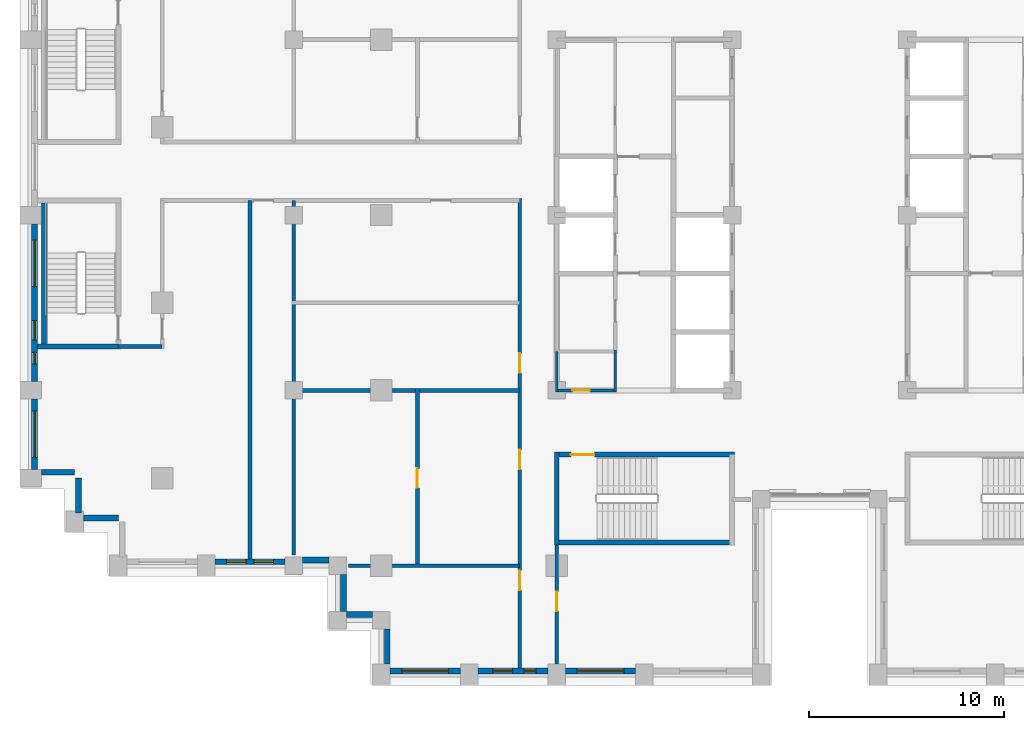
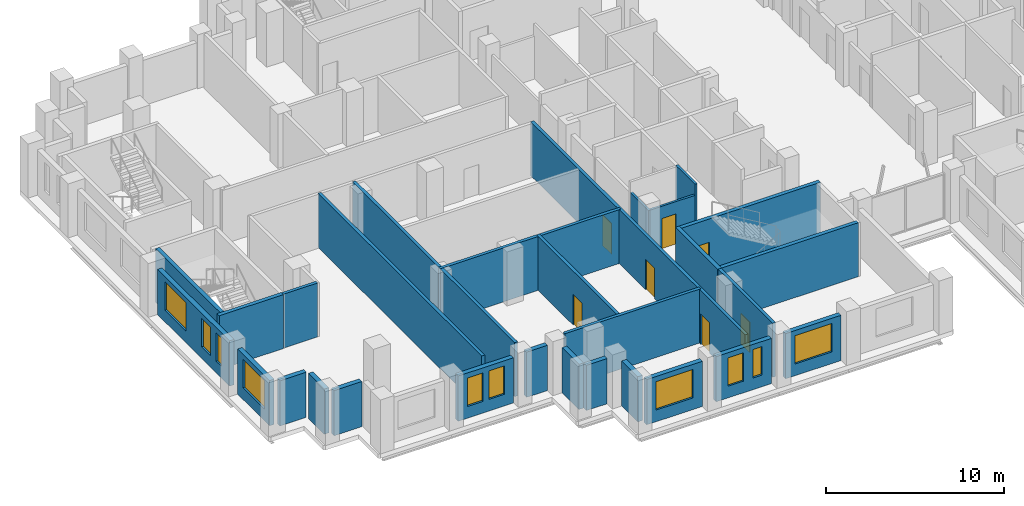
# One storey, part 6 of 16: 29 walls, 10 windows, 7 doors, 17 openings.
"""IFC4 building model written with IfcOpenShell, lengths in metres."""

from ifc_helpers import new_model, si_unit, direction, frame, frame_2d, origin, place, context, subcontext, project, spatial, rectangle, extrude, material, layer, layer_set, type_object, element, fill, save


model = new_model("IFC4")

# Units and contexts
model_context = context("Model", 3, precision=1e-05, world=origin(), true_north=direction((0.0, 1.0)))
body_context = subcontext(model_context, "Body", "Model", "MODEL_VIEW")
ifc_project = project(units=[si_unit("LENGTHUNIT", "METRE"), si_unit("AREAUNIT", "SQUARE_METRE"), si_unit("VOLUMEUNIT", "CUBIC_METRE"), si_unit("PLANEANGLEUNIT", "RADIAN"), si_unit("MASSUNIT", "GRAM", prefix="KILO")], contexts=[model_context])

# Site, building, storey
site_placement = place(None, origin())
site = spatial("IfcSite", under=ifc_project, at=site_placement, CompositionType="ELEMENT")
building_placement = place(site_placement, origin())
building = spatial("IfcBuilding", under=site, at=building_placement, Name="Corbelhall Arena Tower", CompositionType="ELEMENT")
storey_placement = place(building_placement, frame((0.0, 0.0, 170.0)))
storey = spatial("IfcBuildingStorey", under=building, at=storey_placement, Name="L34", CompositionType="ELEMENT", Elevation=170.0)

# Walls
ifc_material_1 = material(Name="Precast concrete C40/50 with granite facing", Category="masonry")
ifc_layer_1 = layer(ifc_material_1, 0.300048828125)
ifc_layer_set_1 = layer_set([ifc_layer_1], Name="EV-IW1 Infill panel 300")
wall_type_1 = type_object("IfcWallType", Name="EV-IW1 Infill panel 300", PredefinedType="SOLIDWALL", material=ifc_layer_set_1)
wall_1_placement = place(storey_placement, frame((-39.949951171875, -13.199951171875, 0.0), z_axis=(0.0, 0.0, 1.0), x_axis=(1.0, 0.0, 0.0)))
element("IfcWall", 1, at=wall_1_placement, inside=storey, type_object=wall_type_1, Name="Infill panel IW1", PredefinedType="SOLIDWALL", context=body_context, shape_type="SweptSolid", body=[
    extrude(rectangle(XDim=1.699951171875, YDim=0.300048828125, at=frame_2d((0.85009765625, 0.0))), origin(), (0.0, 0.0, 1.0), 3.10009765625),
])
for number, where, z_axis, x_axis, name in (
    (2, (-38.050048828125, -15.300048828125, 0.0), (0.0, 0.0, 1.0), (0.0, 1.0, 0.0), "Infill panel IW1"),
    (3, (-37.800048828125, -15.550048828125, 0.0), (0.0, 0.0, 1.0), (1.0, 0.0, 0.0), "Infill panel IW1"),
):
    element("IfcWall", number, at=place(storey_placement, frame(where, z_axis=z_axis, x_axis=x_axis)), inside=storey, type_object=wall_type_1, Name=name, PredefinedType="SOLIDWALL", context=body_context, shape_type="SweptSolid", body=[
        extrude(rectangle(XDim=1.800048828125, YDim=0.300048828125, at=frame_2d((0.89990234375, 0.0))), origin(), (0.0, 0.0, 1.0), 3.10009765625),
    ])

# Wall, openings, windows
wall_2_placement = place(storey_placement, frame((-40.300048828125, -0.449951171875, 0.0), z_axis=(0.0, 0.0, 1.0), x_axis=(0.0, -1.0, 0.0)))
wall_2 = element("IfcWall", 4, at=wall_2_placement, inside=storey, type_object=wall_type_1, Name="Infill panel IW1", PredefinedType="SOLIDWALL", context=body_context, shape_type="SweptSolid", body=[
    extrude(rectangle(XDim=8.10009765625, YDim=0.300048828125, at=frame_2d((4.050048828125, 0.0))), origin(), (0.0, 0.0, 1.0), 3.10009765625),
])
opening_1_placement = place(wall_2_placement, frame((0.824951171875, 0.0, 0.800048828125)))
opening_1 = element("IfcOpeningElement", 5, at=opening_1_placement, cuts=wall_2, Name="Opening WN1", PredefinedType="OPENING", context=body_context, shape_type="SweptSolid", body=[
    extrude(rectangle(XDim=2.39990234375, YDim=1.949951171875, at=frame_2d((1.199951171875, 0.97509765625))), frame((0.0, 0.14990234375, 0.0), z_axis=(0.0, -1.0, 0.0), x_axis=(1.0, 0.0, 0.0)), (0.0, 0.0, 1.0), 0.300048828125),
])
opening_2_placement = place(wall_2_placement, frame((4.97509765625, 0.0, 0.800048828125)))
opening_2 = element("IfcOpeningElement", 6, at=opening_2_placement, cuts=wall_2, Name="Opening WN6", PredefinedType="OPENING", context=body_context, shape_type="SweptSolid", body=[
    extrude(rectangle(XDim=1.0, YDim=1.949951171875, at=frame_2d((0.5, 0.97509765625))), frame((0.0, 0.14990234375, 0.0), z_axis=(0.0, -1.0, 0.0), x_axis=(1.0, 0.0, 0.0)), (0.0, 0.0, 1.0), 0.300048828125),
])
opening_3_placement = place(wall_2_placement, frame((6.60009765625, 0.0, 0.800048828125)))
opening_3 = element("IfcOpeningElement", 7, at=opening_3_placement, cuts=wall_2, Name="Opening WN5", PredefinedType="OPENING", context=body_context, shape_type="SweptSolid", body=[
    extrude(rectangle(XDim=0.60009765625, YDim=1.949951171875, at=frame_2d((0.300048828125, 0.97509765625))), frame((0.0, 0.14990234375, 0.0), z_axis=(0.0, -1.0, 0.0), x_axis=(1.0, 0.0, 0.0)), (0.0, 0.0, 1.0), 0.300048828125),
])
ifc_material_2 = material(Name="Aluminium black anodised", Category="aluminium")
window_type_1 = type_object("IfcWindowType", Name="EV-WN1 Office window", PartitioningType="SINGLE_PANEL", PredefinedType="WINDOW", material=ifc_material_2)
window_1_placement = place(opening_1_placement, origin())
window_1 = element("IfcWindow", 8, at=window_1_placement, inside=storey, type_object=window_type_1, Name="Window WN1", OverallHeight=1.949951171875, OverallWidth=2.39990234375, PartitioningType="SINGLE_PANEL", PredefinedType="WINDOW", context=body_context, shape_type="SweptSolid", body=[
    extrude(rectangle(XDim=2.39990234375, YDim=1.949951171875, at=frame_2d((1.199951171875, 0.97509765625))), frame((0.0, 0.030029296875, 0.0), z_axis=(0.0, -1.0, 0.0), x_axis=(1.0, 0.0, 0.0)), (0.0, 0.0, 1.0), 0.06005859375),
])
fill(opening_1, window_1)
window_type_2 = type_object("IfcWindowType", Name="EV-WN5 Office window 600", PartitioningType="SINGLE_PANEL", PredefinedType="WINDOW", material=ifc_material_2)
window_2_placement = place(opening_3_placement, origin())
window_2 = element("IfcWindow", 9, at=window_2_placement, inside=storey, type_object=window_type_2, Name="Window WN5", OverallHeight=1.949951171875, OverallWidth=0.60009765625, PartitioningType="SINGLE_PANEL", PredefinedType="WINDOW", context=body_context, shape_type="SweptSolid", body=[
    extrude(rectangle(XDim=0.60009765625, YDim=1.949951171875, at=frame_2d((0.300048828125, 0.97509765625))), frame((0.0, 0.030029296875, 0.0), z_axis=(0.0, -1.0, 0.0), x_axis=(1.0, 0.0, 0.0)), (0.0, 0.0, 1.0), 0.06005859375),
])
fill(opening_3, window_2)
window_type_3 = type_object("IfcWindowType", Name="EV-WN6 Office window 1000", PartitioningType="SINGLE_PANEL", PredefinedType="WINDOW", material=ifc_material_2)
window_3_placement = place(opening_2_placement, origin())
window_3 = element("IfcWindow", 10, at=window_3_placement, inside=storey, type_object=window_type_3, Name="Window WN6", OverallHeight=1.949951171875, OverallWidth=1.0, PartitioningType="SINGLE_PANEL", PredefinedType="WINDOW", context=body_context, shape_type="SweptSolid", body=[
    extrude(rectangle(XDim=1.0, YDim=1.949951171875, at=frame_2d((0.5, 0.97509765625))), frame((0.0, 0.030029296875, 0.0), z_axis=(0.0, -1.0, 0.0), x_axis=(1.0, 0.0, 0.0)), (0.0, 0.0, 1.0), 0.06005859375),
])
fill(opening_2, window_3)

# Wall, opening, window
wall_3_placement = place(storey_placement, frame((-40.300048828125, -9.449951171875, 0.0), z_axis=(0.0, 0.0, 1.0), x_axis=(0.0, -1.0, 0.0)))
wall_3 = element("IfcWall", 11, at=wall_3_placement, inside=storey, type_object=wall_type_1, Name="Infill panel IW1", PredefinedType="SOLIDWALL", context=body_context, shape_type="SweptSolid", body=[
    extrude(rectangle(XDim=3.60009765625, YDim=0.300048828125, at=frame_2d((1.800048828125, 0.0))), origin(), (0.0, 0.0, 1.0), 3.10009765625),
])
opening_4_placement = place(wall_3_placement, frame((0.60009765625, 0.0, 0.800048828125)))
opening_4 = element("IfcOpeningElement", 12, at=opening_4_placement, cuts=wall_3, Name="Opening WN1", PredefinedType="OPENING", context=body_context, shape_type="SweptSolid", body=[
    extrude(rectangle(XDim=2.39990234375, YDim=1.949951171875, at=frame_2d((1.199951171875, 0.97509765625))), frame((0.0, 0.14990234375, 0.0), z_axis=(0.0, -1.0, 0.0), x_axis=(1.0, 0.0, 0.0)), (0.0, 0.0, 1.0), 0.300048828125),
])
window_4_placement = place(opening_4_placement, origin())
window_4 = element("IfcWindow", 13, at=window_4_placement, inside=storey, type_object=window_type_1, Name="Window WN1", OverallHeight=1.949951171875, OverallWidth=2.39990234375, PartitioningType="SINGLE_PANEL", PredefinedType="WINDOW", context=body_context, shape_type="SweptSolid", body=[
    extrude(rectangle(XDim=2.39990234375, YDim=1.949951171875, at=frame_2d((1.199951171875, 0.97509765625))), frame((0.0, 0.030029296875, 0.0), z_axis=(0.0, -1.0, 0.0), x_axis=(1.0, 0.0, 0.0)), (0.0, 0.0, 1.0), 0.06005859375),
])
fill(opening_4, window_4)

# Wall, openings, windows
wall_4_placement = place(storey_placement, frame((-31.050048828125, -17.800048828125, 0.0), z_axis=(0.0, 0.0, 1.0), x_axis=(1.0, 0.0, 0.0)))
wall_4 = element("IfcWall", 14, at=wall_4_placement, inside=storey, type_object=wall_type_1, Name="Infill panel IW1", PredefinedType="SOLIDWALL", context=body_context, shape_type="SweptSolid", body=[
    extrude(rectangle(XDim=3.60009765625, YDim=0.300048828125, at=frame_2d((1.800048828125, 0.0))), origin(), (0.0, 0.0, 1.0), 3.10009765625),
])
opening_5_placement = place(wall_4_placement, frame((0.60009765625, 0.0, 0.800048828125)))
opening_5 = element("IfcOpeningElement", 15, at=opening_5_placement, cuts=wall_4, Name="Opening WN6", PredefinedType="OPENING", context=body_context, shape_type="SweptSolid", body=[
    extrude(rectangle(XDim=1.0, YDim=1.949951171875, at=frame_2d((0.5, 0.97509765625))), frame((0.0, 0.14990234375, 0.0), z_axis=(0.0, -1.0, 0.0), x_axis=(1.0, 0.0, 0.0)), (0.0, 0.0, 1.0), 0.300048828125),
])
opening_6_placement = place(wall_4_placement, frame((2.0, 0.0, 0.800048828125)))
opening_6 = element("IfcOpeningElement", 16, at=opening_6_placement, cuts=wall_4, Name="Opening WN6", PredefinedType="OPENING", context=body_context, shape_type="SweptSolid", body=[
    extrude(rectangle(XDim=1.0, YDim=1.949951171875, at=frame_2d((0.5, 0.97509765625))), frame((0.0, 0.14990234375, 0.0), z_axis=(0.0, -1.0, 0.0), x_axis=(1.0, 0.0, 0.0)), (0.0, 0.0, 1.0), 0.300048828125),
])
window_5_placement = place(opening_5_placement, origin())
window_5 = element("IfcWindow", 17, at=window_5_placement, inside=storey, type_object=window_type_3, Name="Window WN6", OverallHeight=1.949951171875, OverallWidth=1.0, PartitioningType="SINGLE_PANEL", PredefinedType="WINDOW", context=body_context, shape_type="SweptSolid", body=[
    extrude(rectangle(XDim=1.0, YDim=1.949951171875, at=frame_2d((0.5, 0.97509765625))), frame((0.0, 0.030029296875, 0.0), z_axis=(0.0, -1.0, 0.0), x_axis=(1.0, 0.0, 0.0)), (0.0, 0.0, 1.0), 0.06005859375),
])
fill(opening_5, window_5)
window_6_placement = place(opening_6_placement, origin())
window_6 = element("IfcWindow", 18, at=window_6_placement, inside=storey, type_object=window_type_3, Name="Window WN6", OverallHeight=1.949951171875, OverallWidth=1.0, PartitioningType="SINGLE_PANEL", PredefinedType="WINDOW", context=body_context, shape_type="SweptSolid", body=[
    extrude(rectangle(XDim=1.0, YDim=1.949951171875, at=frame_2d((0.5, 0.97509765625))), frame((0.0, 0.030029296875, 0.0), z_axis=(0.0, -1.0, 0.0), x_axis=(1.0, 0.0, 0.0)), (0.0, 0.0, 1.0), 0.06005859375),
])
fill(opening_6, window_6)

# Walls
wall_5_placement = place(storey_placement, frame((-26.550048828125, -17.699951171875, 0.0), z_axis=(0.0, 0.0, 1.0), x_axis=(1.0, 0.0, 0.0)))
element("IfcWall", 19, at=wall_5_placement, inside=storey, type_object=wall_type_1, Name="Infill panel IW1", PredefinedType="SOLIDWALL", context=body_context, shape_type="SweptSolid", body=[
    extrude(rectangle(XDim=1.35009765625, YDim=0.300048828125, at=frame_2d((0.675048828125, 0.0))), origin(), (0.0, 0.0, 1.0), 3.10009765625),
])
wall_6_placement = place(storey_placement, frame((-24.449951171875, -18.449951171875, 0.0), z_axis=(0.0, 0.0, 1.0), x_axis=(0.0, -1.0, 0.0)))
element("IfcWall", 20, at=wall_6_placement, inside=storey, type_object=wall_type_1, Name="Infill panel IW1", PredefinedType="SOLIDWALL", context=body_context, shape_type="SweptSolid", body=[
    extrude(rectangle(XDim=1.900146484375, YDim=0.300048828125, at=frame_2d((0.9501953125, 0.0))), origin(), (0.0, 0.0, 1.0), 3.10009765625),
])
wall_7_placement = place(storey_placement, frame((-24.300048828125, -20.5, 0.0), z_axis=(0.0, 0.0, 1.0), x_axis=(1.0, 0.0, 0.0)))
element("IfcWall", 21, at=wall_7_placement, inside=storey, type_object=wall_type_1, Name="Infill panel IW1", PredefinedType="SOLIDWALL", context=body_context, shape_type="SweptSolid", body=[
    extrude(rectangle(XDim=1.35009765625, YDim=0.300048828125, at=frame_2d((0.675048828125, 0.0))), origin(), (0.0, 0.0, 1.0), 3.10009765625),
])
wall_8_placement = place(storey_placement, frame((-22.199951171875, -21.25, 0.0), z_axis=(0.0, 0.0, 1.0), x_axis=(0.0, -1.0, 0.0)))
element("IfcWall", 22, at=wall_8_placement, inside=storey, type_object=wall_type_1, Name="Infill panel IW1", PredefinedType="SOLIDWALL", context=body_context, shape_type="SweptSolid", body=[
    extrude(rectangle(XDim=1.800048828125, YDim=0.300048828125, at=frame_2d((0.89990234375, 0.0))), origin(), (0.0, 0.0, 1.0), 3.10009765625),
])

# Wall, opening, window
wall_9_placement = place(storey_placement, frame((-22.050048828125, -23.39990234375, 0.0), z_axis=(0.0, 0.0, 1.0), x_axis=(1.0, 0.0, 0.0)))
wall_9 = element("IfcWall", 23, at=wall_9_placement, inside=storey, type_object=wall_type_1, Name="Infill panel IW1", PredefinedType="SOLIDWALL", context=body_context, shape_type="SweptSolid", body=[
    extrude(rectangle(XDim=3.60009765625, YDim=0.300048828125, at=frame_2d((1.800048828125, 0.0))), origin(), (0.0, 0.0, 1.0), 3.10009765625),
])
opening_7_placement = place(wall_9_placement, frame((0.60009765625, 0.0, 0.800048828125)))
opening_7 = element("IfcOpeningElement", 24, at=opening_7_placement, cuts=wall_9, Name="Opening WN1", PredefinedType="OPENING", context=body_context, shape_type="SweptSolid", body=[
    extrude(rectangle(XDim=2.39990234375, YDim=1.949951171875, at=frame_2d((1.199951171875, 0.97509765625))), frame((0.0, 0.14990234375, 0.0), z_axis=(0.0, -1.0, 0.0), x_axis=(1.0, 0.0, 0.0)), (0.0, 0.0, 1.0), 0.300048828125),
])
window_7_placement = place(opening_7_placement, origin())
window_7 = element("IfcWindow", 25, at=window_7_placement, inside=storey, type_object=window_type_1, Name="Window WN1", OverallHeight=1.949951171875, OverallWidth=2.39990234375, PartitioningType="SINGLE_PANEL", PredefinedType="WINDOW", context=body_context, shape_type="SweptSolid", body=[
    extrude(rectangle(XDim=2.39990234375, YDim=1.949951171875, at=frame_2d((1.199951171875, 0.97509765625))), frame((0.0, 0.030029296875, 0.0), z_axis=(0.0, -1.0, 0.0), x_axis=(1.0, 0.0, 0.0)), (0.0, 0.0, 1.0), 0.06005859375),
])
fill(opening_7, window_7)

# Wall, openings, windows
wall_10_placement = place(storey_placement, frame((-17.550048828125, -23.39990234375, 0.0), z_axis=(0.0, 0.0, 1.0), x_axis=(1.0, 0.0, 0.0)))
wall_10 = element("IfcWall", 26, at=wall_10_placement, inside=storey, type_object=wall_type_1, Name="Infill panel IW1", PredefinedType="SOLIDWALL", context=body_context, shape_type="SweptSolid", body=[
    extrude(rectangle(XDim=3.60009765625, YDim=0.300048828125, at=frame_2d((1.800048828125, 0.0))), origin(), (0.0, 0.0, 1.0), 3.10009765625),
])
opening_8_placement = place(wall_10_placement, frame((0.77490234375, 0.0, 0.800048828125)))
opening_8 = element("IfcOpeningElement", 27, at=opening_8_placement, cuts=wall_10, Name="Opening WN6", PredefinedType="OPENING", context=body_context, shape_type="SweptSolid", body=[
    extrude(rectangle(XDim=1.0, YDim=1.949951171875, at=frame_2d((0.5, 0.97509765625))), frame((0.0, 0.14990234375, 0.0), z_axis=(0.0, -1.0, 0.0), x_axis=(1.0, 0.0, 0.0)), (0.0, 0.0, 1.0), 0.300048828125),
])
opening_9_placement = place(wall_10_placement, frame((2.375, 0.0, 0.800048828125)))
opening_9 = element("IfcOpeningElement", 28, at=opening_9_placement, cuts=wall_10, Name="Opening WN5", PredefinedType="OPENING", context=body_context, shape_type="SweptSolid", body=[
    extrude(rectangle(XDim=0.60009765625, YDim=1.949951171875, at=frame_2d((0.300048828125, 0.97509765625))), frame((0.0, 0.14990234375, 0.0), z_axis=(0.0, -1.0, 0.0), x_axis=(1.0, 0.0, 0.0)), (0.0, 0.0, 1.0), 0.300048828125),
])
window_8_placement = place(opening_9_placement, origin())
window_8 = element("IfcWindow", 29, at=window_8_placement, inside=storey, type_object=window_type_2, Name="Window WN5", OverallHeight=1.949951171875, OverallWidth=0.60009765625, PartitioningType="SINGLE_PANEL", PredefinedType="WINDOW", context=body_context, shape_type="SweptSolid", body=[
    extrude(rectangle(XDim=0.60009765625, YDim=1.949951171875, at=frame_2d((0.300048828125, 0.97509765625))), frame((0.0, 0.030029296875, 0.0), z_axis=(0.0, -1.0, 0.0), x_axis=(1.0, 0.0, 0.0)), (0.0, 0.0, 1.0), 0.06005859375),
])
fill(opening_9, window_8)
window_9_placement = place(opening_8_placement, origin())
window_9 = element("IfcWindow", 30, at=window_9_placement, inside=storey, type_object=window_type_3, Name="Window WN6", OverallHeight=1.949951171875, OverallWidth=1.0, PartitioningType="SINGLE_PANEL", PredefinedType="WINDOW", context=body_context, shape_type="SweptSolid", body=[
    extrude(rectangle(XDim=1.0, YDim=1.949951171875, at=frame_2d((0.5, 0.97509765625))), frame((0.0, 0.030029296875, 0.0), z_axis=(0.0, -1.0, 0.0), x_axis=(1.0, 0.0, 0.0)), (0.0, 0.0, 1.0), 0.06005859375),
])
fill(opening_8, window_9)

# Wall, opening, window
wall_11_placement = place(storey_placement, frame((-13.050048828125, -23.39990234375, 0.0), z_axis=(0.0, 0.0, 1.0), x_axis=(1.0, 0.0, 0.0)))
wall_11 = element("IfcWall", 31, at=wall_11_placement, inside=storey, type_object=wall_type_1, Name="Infill panel IW1", PredefinedType="SOLIDWALL", context=body_context, shape_type="SweptSolid", body=[
    extrude(rectangle(XDim=3.60009765625, YDim=0.300048828125, at=frame_2d((1.800048828125, 0.0))), origin(), (0.0, 0.0, 1.0), 3.10009765625),
])
opening_10_placement = place(wall_11_placement, frame((0.60009765625, 0.0, 0.800048828125)))
opening_10 = element("IfcOpeningElement", 32, at=opening_10_placement, cuts=wall_11, Name="Opening WN1", PredefinedType="OPENING", context=body_context, shape_type="SweptSolid", body=[
    extrude(rectangle(XDim=2.39990234375, YDim=1.949951171875, at=frame_2d((1.199951171875, 0.97509765625))), frame((0.0, 0.14990234375, 0.0), z_axis=(0.0, -1.0, 0.0), x_axis=(1.0, 0.0, 0.0)), (0.0, 0.0, 1.0), 0.300048828125),
])
window_10_placement = place(opening_10_placement, origin())
window_10 = element("IfcWindow", 33, at=window_10_placement, inside=storey, type_object=window_type_1, Name="Window WN1", OverallHeight=1.949951171875, OverallWidth=2.39990234375, PartitioningType="SINGLE_PANEL", PredefinedType="WINDOW", context=body_context, shape_type="SweptSolid", body=[
    extrude(rectangle(XDim=2.39990234375, YDim=1.949951171875, at=frame_2d((1.199951171875, 0.97509765625))), frame((0.0, 0.030029296875, 0.0), z_axis=(0.0, -1.0, 0.0), x_axis=(1.0, 0.0, 0.0)), (0.0, 0.0, 1.0), 0.06005859375),
])
fill(opening_10, window_10)

# Walls
ifc_material_3 = material(Name="Gypsum board on steel stud, acoustic", Category="steel")
ifc_layer_2 = layer(ifc_material_3, 0.199951171875)
ifc_layer_set_2 = layer_set([ifc_layer_2], Name="IN-W-DM200")
wall_type_2 = type_object("IfcWallType", Name="IN-W-DM200", PredefinedType="PARTITIONING", material=ifc_layer_set_2)
wall_12_placement = place(storey_placement, frame((-33.75, -6.75, 0.0), z_axis=(0.0, 0.0, 1.0), x_axis=(-1.0, 0.0, 0.0)))
element("IfcWall", 34, at=wall_12_placement, inside=storey, type_object=wall_type_2, Name="Partition 003", PredefinedType="PARTITIONING", context=body_context, shape_type="SweptSolid", body=[
    extrude(rectangle(XDim=2.25, YDim=0.199951171875, at=frame_2d((1.125, 0.0))), origin(), (0.0, 0.0, 1.0), 3.699951171875),
])
wall_13_placement = place(storey_placement, frame((-29.25, 0.75, 0.0), z_axis=(0.0, 0.0, 1.0), x_axis=(0.0, -1.0, 0.0)))
element("IfcWall", 35, at=wall_13_placement, inside=storey, type_object=wall_type_2, Name="Partition 006", PredefinedType="PARTITIONING", context=body_context, shape_type="SweptSolid", body=[
    extrude(rectangle(XDim=18.39990234375, YDim=0.199951171875, at=frame_2d((9.199951171875, 0.0))), origin(), (0.0, 0.0, 1.0), 3.699951171875),
])
wall_14_placement = place(storey_placement, frame((-27.10009765625, -9.0, 0.0), z_axis=(0.0, 0.0, 1.0), x_axis=(1.0, 0.0, 0.0)))
element("IfcWall", 36, at=wall_14_placement, inside=storey, type_object=wall_type_2, Name="Partition 008", PredefinedType="PARTITIONING", context=body_context, shape_type="SweptSolid", body=[
    extrude(rectangle(XDim=11.7001953125, YDim=0.199951171875, at=frame_2d((5.85009765625, 0.0))), origin(), (0.0, 0.0, 1.0), 3.699951171875),
])
wall_15_placement = place(storey_placement, frame((-27.0, -17.449951171875, 0.0), z_axis=(0.0, 0.0, 1.0), x_axis=(0.0, 1.0, 0.0)))
element("IfcWall", 37, at=wall_15_placement, inside=storey, type_object=wall_type_2, Name="Partition 011", PredefinedType="PARTITIONING", context=body_context, shape_type="SweptSolid", body=[
    extrude(rectangle(XDim=18.199951171875, YDim=0.199951171875, at=frame_2d((9.10009765625, 0.0))), origin(), (0.0, 0.0, 1.0), 3.699951171875),
])
wall_16_placement = place(storey_placement, frame((-24.199951171875, -18.0, 0.0), z_axis=(0.0, 0.0, 1.0), x_axis=(1.0, 0.0, 0.0)))
element("IfcWall", 38, at=wall_16_placement, inside=storey, type_object=wall_type_2, Name="Partition 013", PredefinedType="PARTITIONING", context=body_context, shape_type="SweptSolid", body=[
    extrude(rectangle(XDim=8.800048828125, YDim=0.199951171875, at=frame_2d((4.39990234375, 0.0))), origin(), (0.0, 0.0, 1.0), 3.699951171875),
])

# Wall, opening, door
wall_17_placement = place(storey_placement, frame((-20.64990234375, -18.0, 0.0), z_axis=(0.0, 0.0, 1.0), x_axis=(0.0, 1.0, 0.0)))
wall_17 = element("IfcWall", 39, at=wall_17_placement, inside=storey, type_object=wall_type_2, Name="Partition 016", PredefinedType="PARTITIONING", context=body_context, shape_type="SweptSolid", body=[
    extrude(rectangle(XDim=9.10009765625, YDim=0.199951171875, at=frame_2d((4.550048828125, 0.0))), origin(), (0.0, 0.0, 1.0), 3.699951171875),
])
opening_11_placement = place(wall_17_placement, frame((4.0, 0.0, 0.0)))
opening_11 = element("IfcOpeningElement", 40, at=opening_11_placement, cuts=wall_17, Name="Opening 10031", PredefinedType="OPENING", context=body_context, shape_type="SweptSolid", body=[
    extrude(rectangle(XDim=1.0, YDim=2.10009765625, at=frame_2d((0.5, 1.050048828125))), frame((0.0, 0.10009765625, 0.0), z_axis=(0.0, -1.0, 0.0), x_axis=(1.0, 0.0, 0.0)), (0.0, 0.0, 1.0), 0.199951171875),
])
ifc_material_4 = material(Name="Steel door set", Category="steel")
door_type_1 = type_object("IfcDoorType", Name="IN-D-SW100", OperationType="NOTDEFINED", PredefinedType="DOOR", material=ifc_material_4)
door_1_placement = place(opening_11_placement, origin())
door_1 = element("IfcDoor", 41, at=door_1_placement, inside=storey, type_object=door_type_1, Name="Door 031", OperationType="SINGLE_SWING_RIGHT", OverallHeight=2.10009765625, OverallWidth=1.0, PredefinedType="DOOR", context=body_context, shape_type="SweptSolid", body=[
    extrude(rectangle(XDim=1.0, YDim=2.10009765625, at=frame_2d((0.5, 1.050048828125))), frame((0.0, 0.02490234375, 0.0), z_axis=(0.0, -1.0, 0.0), x_axis=(1.0, 0.0, 0.0)), (0.0, 0.0, 1.0), 0.050048828125),
])
fill(opening_11, door_1)

# Wall, openings, doors
wall_18_placement = place(storey_placement, frame((-15.39990234375, -23.25, 0.0), z_axis=(0.0, 0.0, 1.0), x_axis=(0.0, 1.0, 0.0)))
wall_18 = element("IfcWall", 42, at=wall_18_placement, inside=storey, type_object=wall_type_2, Name="Partition 018", PredefinedType="PARTITIONING", context=body_context, shape_type="SweptSolid", body=[
    extrude(rectangle(XDim=24.10009765625, YDim=0.199951171875, at=frame_2d((12.050048828125, 0.0))), origin(), (0.0, 0.0, 1.0), 3.699951171875),
])
opening_12_placement = place(wall_18_placement, frame((4.0, 0.0, 0.0)))
opening_12 = element("IfcOpeningElement", 43, at=opening_12_placement, cuts=wall_18, Name="Opening 10029", PredefinedType="OPENING", context=body_context, shape_type="SweptSolid", body=[
    extrude(rectangle(XDim=1.0, YDim=2.10009765625, at=frame_2d((0.5, 1.050048828125))), frame((0.0, 0.10009765625, 0.0), z_axis=(0.0, -1.0, 0.0), x_axis=(1.0, 0.0, 0.0)), (0.0, 0.0, 1.0), 0.199951171875),
])
opening_13_placement = place(wall_18_placement, frame((10.199951171875, 0.0, 0.0)))
opening_13 = element("IfcOpeningElement", 44, at=opening_13_placement, cuts=wall_18, Name="Opening 10030", PredefinedType="OPENING", context=body_context, shape_type="SweptSolid", body=[
    extrude(rectangle(XDim=1.0, YDim=2.10009765625, at=frame_2d((0.5, 1.050048828125))), frame((0.0, 0.10009765625, 0.0), z_axis=(0.0, -1.0, 0.0), x_axis=(1.0, 0.0, 0.0)), (0.0, 0.0, 1.0), 0.199951171875),
])
opening_14_placement = place(wall_18_placement, frame((15.14990234375, 0.0, 0.0)))
opening_14 = element("IfcOpeningElement", 45, at=opening_14_placement, cuts=wall_18, Name="Opening 10032", PredefinedType="OPENING", context=body_context, shape_type="SweptSolid", body=[
    extrude(rectangle(XDim=1.0, YDim=2.10009765625, at=frame_2d((0.5, 1.050048828125))), frame((0.0, 0.10009765625, 0.0), z_axis=(0.0, -1.0, 0.0), x_axis=(1.0, 0.0, 0.0)), (0.0, 0.0, 1.0), 0.199951171875),
])
door_2_placement = place(opening_12_placement, origin())
door_2 = element("IfcDoor", 46, at=door_2_placement, inside=storey, type_object=door_type_1, Name="Door 029", OperationType="SINGLE_SWING_RIGHT", OverallHeight=2.10009765625, OverallWidth=1.0, PredefinedType="DOOR", context=body_context, shape_type="SweptSolid", body=[
    extrude(rectangle(XDim=1.0, YDim=2.10009765625, at=frame_2d((0.5, 1.050048828125))), frame((0.0, 0.02490234375, 0.0), z_axis=(0.0, -1.0, 0.0), x_axis=(1.0, 0.0, 0.0)), (0.0, 0.0, 1.0), 0.050048828125),
])
fill(opening_12, door_2)
door_3_placement = place(opening_13_placement, origin())
door_3 = element("IfcDoor", 47, at=door_3_placement, inside=storey, type_object=door_type_1, Name="Door 030", OperationType="SINGLE_SWING_LEFT", OverallHeight=2.10009765625, OverallWidth=1.0, PredefinedType="DOOR", context=body_context, shape_type="SweptSolid", body=[
    extrude(rectangle(XDim=1.0, YDim=2.10009765625, at=frame_2d((0.5, 1.050048828125))), frame((0.0, 0.02490234375, 0.0), z_axis=(0.0, -1.0, 0.0), x_axis=(1.0, 0.0, 0.0)), (0.0, 0.0, 1.0), 0.050048828125),
])
fill(opening_13, door_3)
door_4_placement = place(opening_14_placement, origin())
door_4 = element("IfcDoor", 48, at=door_4_placement, inside=storey, type_object=door_type_1, Name="Door 032", OperationType="SINGLE_SWING_LEFT", OverallHeight=2.10009765625, OverallWidth=1.0, PredefinedType="DOOR", context=body_context, shape_type="SweptSolid", body=[
    extrude(rectangle(XDim=1.0, YDim=2.10009765625, at=frame_2d((0.5, 1.050048828125))), frame((0.0, 0.02490234375, 0.0), z_axis=(0.0, -1.0, 0.0), x_axis=(1.0, 0.0, 0.0)), (0.0, 0.0, 1.0), 0.050048828125),
])
fill(opening_14, door_4)

# Wall, opening, door
wall_19_placement = place(storey_placement, frame((-13.5, -16.675048828125, 0.0), z_axis=(0.0, 0.0, 1.0), x_axis=(0.0, -1.0, 0.0)))
wall_19 = element("IfcWall", 49, at=wall_19_placement, inside=storey, type_object=wall_type_2, Name="Partition 023", PredefinedType="PARTITIONING", context=body_context, shape_type="SweptSolid", body=[
    extrude(rectangle(XDim=6.375, YDim=0.199951171875, at=frame_2d((3.1875, 0.0))), origin(), (0.0, 0.0, 1.0), 3.699951171875),
])
opening_15_placement = place(wall_19_placement, frame((2.64990234375, 0.0, 0.0)))
opening_15 = element("IfcOpeningElement", 50, at=opening_15_placement, cuts=wall_19, Name="Opening 10024", PredefinedType="OPENING", context=body_context, shape_type="SweptSolid", body=[
    extrude(rectangle(XDim=1.0, YDim=2.10009765625, at=frame_2d((0.5, 1.050048828125))), frame((0.0, 0.10009765625, 0.0), z_axis=(0.0, -1.0, 0.0), x_axis=(1.0, 0.0, 0.0)), (0.0, 0.0, 1.0), 0.199951171875),
])
door_5_placement = place(opening_15_placement, origin())
door_5 = element("IfcDoor", 51, at=door_5_placement, inside=storey, type_object=door_type_1, Name="Door 024", OperationType="SINGLE_SWING_LEFT", OverallHeight=2.10009765625, OverallWidth=1.0, PredefinedType="DOOR", context=body_context, shape_type="SweptSolid", body=[
    extrude(rectangle(XDim=1.0, YDim=2.10009765625, at=frame_2d((0.5, 1.050048828125))), frame((0.0, 0.02490234375, 0.0), z_axis=(0.0, -1.0, 0.0), x_axis=(1.0, 0.0, 0.0)), (0.0, 0.0, 1.0), 0.050048828125),
])
fill(opening_15, door_5)

# Walls
ifc_material_5 = material(Name="Concrete C40/50", Category="concrete")
ifc_layer_3 = layer(ifc_material_5, 0.25)
ifc_layer_set_3 = layer_set([ifc_layer_3], Name="IN-W-ST250")
wall_type_3 = type_object("IfcWallType", Name="IN-W-ST250", PredefinedType="SOLIDWALL", material=ifc_layer_set_3)
wall_20_placement = place(storey_placement, frame((-36.0, -6.75, 0.0), z_axis=(0.0, 0.0, 1.0), x_axis=(-1.0, 0.0, 0.0)))
element("IfcWall", 52, at=wall_20_placement, inside=storey, type_object=wall_type_3, Name="Shaft wall 084", PredefinedType="SOLIDWALL", context=body_context, shape_type="SweptSolid", body=[
    extrude(rectangle(XDim=4.14990234375, YDim=0.25, at=frame_2d((2.074951171875, 0.0))), origin(), (0.0, 0.0, 1.0), 3.699951171875),
])
wall_21_placement = place(storey_placement, frame((-13.5, -12.175048828125, 0.0), z_axis=(0.0, 0.0, 1.0), x_axis=(0.0, -1.0, 0.0)))
element("IfcWall", 53, at=wall_21_placement, inside=storey, type_object=wall_type_3, Name="Shaft wall 088", PredefinedType="SOLIDWALL", context=body_context, shape_type="SweptSolid", body=[
    extrude(rectangle(XDim=4.75, YDim=0.25, at=frame_2d((2.375, 0.0))), origin(), (0.0, 0.0, 1.0), 3.699951171875),
])
wall_22_placement = place(storey_placement, frame((-4.5, -16.800048828125, 0.0), z_axis=(0.0, 0.0, 1.0), x_axis=(-1.0, 0.0, 0.0)))
element("IfcWall", 54, at=wall_22_placement, inside=storey, type_object=wall_type_3, Name="Shaft wall 092", PredefinedType="SOLIDWALL", context=body_context, shape_type="SweptSolid", body=[
    extrude(rectangle(XDim=9.0, YDim=0.25, at=frame_2d((4.5, 0.0))), origin(), (0.0, 0.0, 1.0), 3.699951171875),
])

# Wall, opening, door
wall_23_placement = place(storey_placement, frame((-4.375, -12.300048828125, 0.0), z_axis=(0.0, 0.0, 1.0), x_axis=(-1.0, 0.0, 0.0)))
wall_23 = element("IfcWall", 55, at=wall_23_placement, inside=storey, type_object=wall_type_3, Name="Shaft wall 095", PredefinedType="SOLIDWALL", context=body_context, shape_type="SweptSolid", body=[
    extrude(rectangle(XDim=9.125, YDim=0.25, at=frame_2d((4.5625, 0.0))), origin(), (0.0, 0.0, 1.0), 3.699951171875),
])
opening_16_placement = place(wall_23_placement, frame((7.199951171875, 0.0, 0.0)))
opening_16 = element("IfcOpeningElement", 56, at=opening_16_placement, cuts=wall_23, Name="Opening 10015", PredefinedType="OPENING", context=body_context, shape_type="SweptSolid", body=[
    extrude(rectangle(XDim=1.199951171875, YDim=2.10009765625, at=frame_2d((0.60009765625, 1.050048828125))), frame((0.0, 0.125, 0.0), z_axis=(0.0, -1.0, 0.0), x_axis=(1.0, 0.0, 0.0)), (0.0, 0.0, 1.0), 0.25),
])
door_type_2 = type_object("IfcDoorType", Name="IN-D-ST120", OperationType="NOTDEFINED", PredefinedType="DOOR", material=ifc_material_4)
door_6_placement = place(opening_16_placement, origin())
door_6 = element("IfcDoor", 57, at=door_6_placement, inside=storey, type_object=door_type_2, Name="Door 015", OperationType="SINGLE_SWING_RIGHT", OverallHeight=2.10009765625, OverallWidth=1.199951171875, PredefinedType="DOOR", context=body_context, shape_type="SweptSolid", body=[
    extrude(rectangle(XDim=1.199951171875, YDim=2.10009765625, at=frame_2d((0.60009765625, 1.050048828125))), frame((0.0, 0.02490234375, 0.0), z_axis=(0.0, -1.0, 0.0), x_axis=(1.0, 0.0, 0.0)), (0.0, 0.0, 1.0), 0.050048828125),
])
fill(opening_16, door_6)

# Walls
wall_24_placement = place(storey_placement, frame((-39.824951171875, -6.625, 0.0), z_axis=(0.0, 0.0, 1.0), x_axis=(0.0, 1.0, 0.0)))
element("IfcWall", 58, at=wall_24_placement, inside=storey, type_object=wall_type_3, Name="Shaft wall SC2 facade side", PredefinedType="SOLIDWALL", context=body_context, shape_type="SweptSolid", body=[
    extrude(rectangle(XDim=7.25, YDim=0.25, at=frame_2d((3.625, 0.0))), origin(), (0.0, 0.0, 1.0), 3.699951171875),
])
ifc_material_6 = material(Name="Gypsum board on steel stud, moisture resistant", Category="steel")
ifc_layer_4 = layer(ifc_material_6, 0.14990234375)
ifc_layer_set_4 = layer_set([ifc_layer_4], Name="IN-W-WC150")
wall_type_4 = type_object("IfcWallType", Name="IN-W-WC150", PredefinedType="PARTITIONING", material=ifc_layer_set_4)
wall_25_placement = place(storey_placement, frame((-10.5, -9.074951171875, 0.0), z_axis=(0.0, 0.0, 1.0), x_axis=(0.0, 1.0, 0.0)))
element("IfcWall", 59, at=wall_25_placement, inside=storey, type_object=wall_type_4, Name="Partition 114", PredefinedType="PARTITIONING", context=body_context, shape_type="SweptSolid", body=[
    extrude(rectangle(XDim=2.14990234375, YDim=0.14990234375, at=frame_2d((1.074951171875, 0.0))), origin(), (0.0, 0.0, 1.0), 3.699951171875),
])
ifc_layer_5 = layer(ifc_material_6, 0.14990234375)
ifc_layer_set_5 = layer_set([ifc_layer_5], Name="IN-W-WC150 under beam 762 mm")
wall_type_5 = type_object("IfcWallType", Name="IN-W-WC150 under beam 762 mm", PredefinedType="PARTITIONING", material=ifc_layer_set_5)
wall_26_placement = place(storey_placement, frame((-13.5, -9.074951171875, 0.0), z_axis=(0.0, 0.0, 1.0), x_axis=(0.0, 1.0, 0.0)))
element("IfcWall", 60, at=wall_26_placement, inside=storey, type_object=wall_type_5, Name="Partition 111", PredefinedType="PARTITIONING", context=body_context, shape_type="SweptSolid", body=[
    extrude(rectangle(XDim=2.074951171875, YDim=0.14990234375, at=frame_2d((1.03759765625, 0.0))), origin(), (0.0, 0.0, 1.0), 2.93798828125),
])

# Wall, opening, door
wall_27_placement = place(storey_placement, frame((-10.5, -9.0, 0.0), z_axis=(0.0, 0.0, 1.0), x_axis=(-1.0, 0.0, 0.0)))
wall_27 = element("IfcWall", 61, at=wall_27_placement, inside=storey, type_object=wall_type_5, Name="Partition 115", PredefinedType="PARTITIONING", context=body_context, shape_type="SweptSolid", body=[
    extrude(rectangle(XDim=3.0, YDim=0.14990234375, at=frame_2d((1.5, 0.0))), origin(), (0.0, 0.0, 1.0), 2.93798828125),
])
opening_17_placement = place(wall_27_placement, frame((1.300048828125, 0.0, 0.0)))
opening_17 = element("IfcOpeningElement", 62, at=opening_17_placement, cuts=wall_27, Name="Opening 10005", PredefinedType="OPENING", context=body_context, shape_type="SweptSolid", body=[
    extrude(rectangle(XDim=0.89990234375, YDim=2.10009765625, at=frame_2d((0.449951171875, 1.050048828125))), frame((0.0, 0.074951171875, 0.0), z_axis=(0.0, -1.0, 0.0), x_axis=(1.0, 0.0, 0.0)), (0.0, 0.0, 1.0), 0.14990234375),
])
ifc_material_7 = material(Name="Timber door set", Category="wood")
door_type_3 = type_object("IfcDoorType", Name="IN-D-SW90", OperationType="NOTDEFINED", PredefinedType="DOOR", material=ifc_material_7)
door_7_placement = place(opening_17_placement, origin())
door_7 = element("IfcDoor", 63, at=door_7_placement, inside=storey, type_object=door_type_3, Name="Door 005", OperationType="SINGLE_SWING_RIGHT", OverallHeight=2.10009765625, OverallWidth=0.89990234375, PredefinedType="DOOR", context=body_context, shape_type="SweptSolid", body=[
    extrude(rectangle(XDim=0.89990234375, YDim=2.10009765625, at=frame_2d((0.449951171875, 1.050048828125))), frame((0.0, 0.02490234375, 0.0), z_axis=(0.0, -1.0, 0.0), x_axis=(1.0, 0.0, 0.0)), (0.0, 0.0, 1.0), 0.050048828125),
])
fill(opening_17, door_7)

save(model, "model.ifc")
